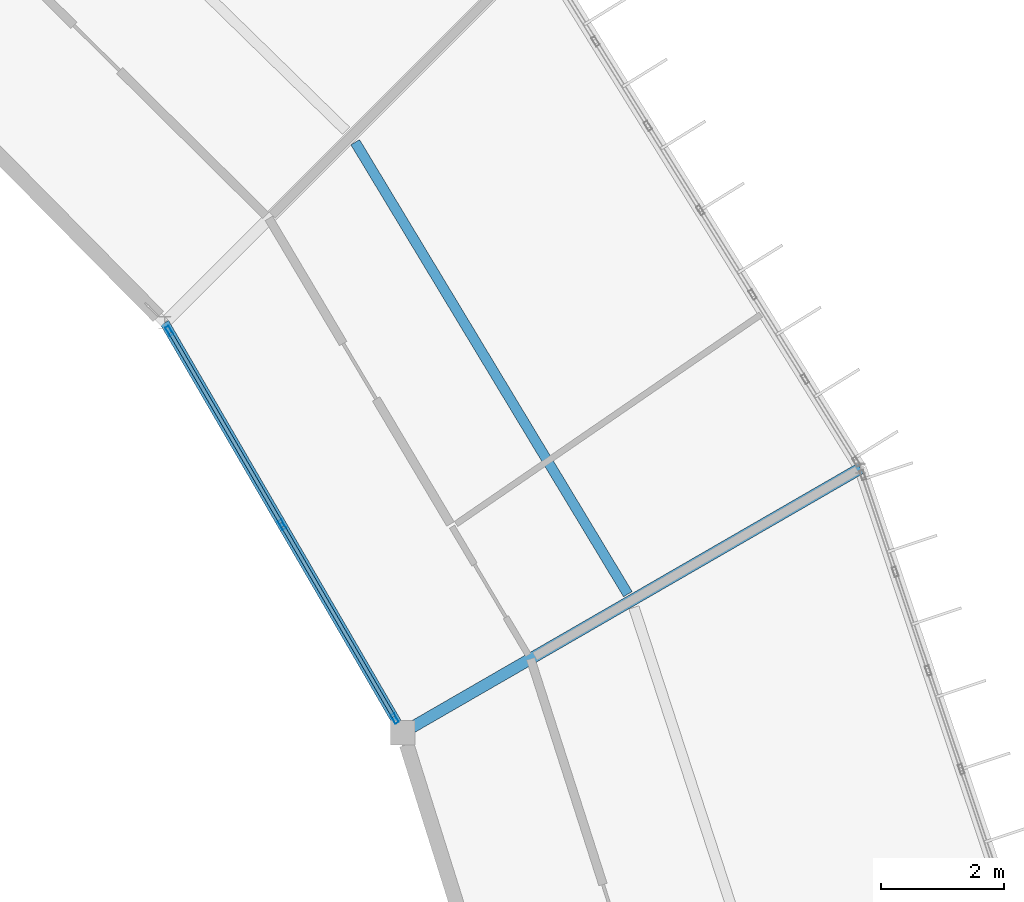
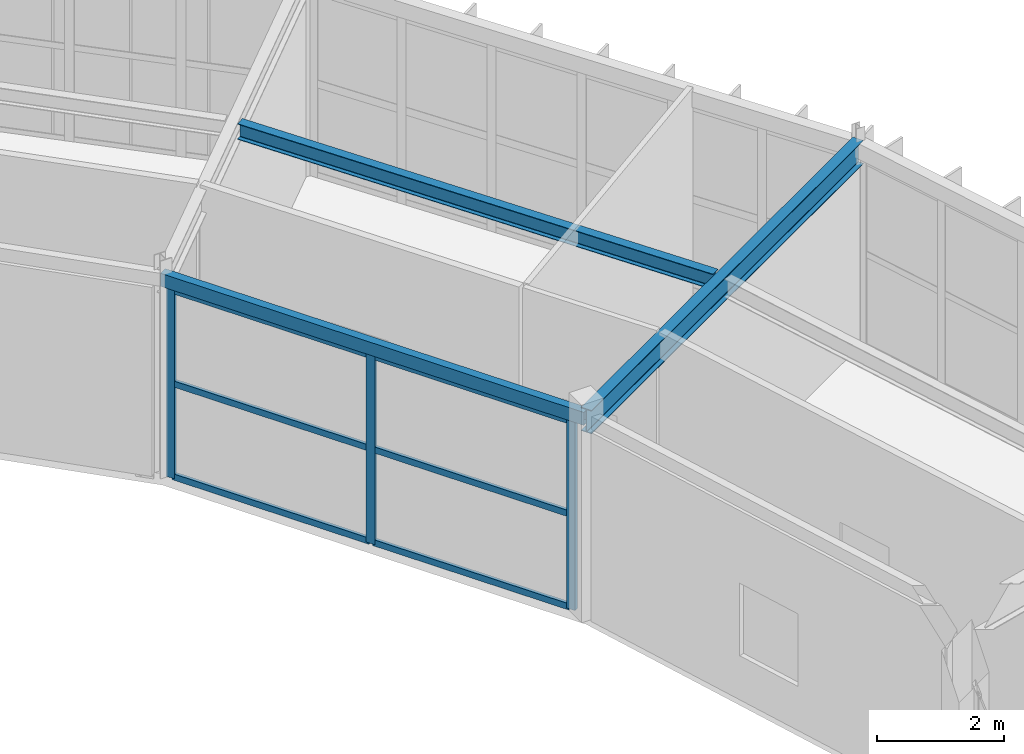
# One storey, part 73 of 130: 9 members, 3 beams, 1 element without a shape of its own.
"""IFC4 building model written with IfcOpenShell, lengths in metres."""

from ifc_helpers import new_model, si_unit, direction, frame, origin, origin_2d, place, context, subcontext, project, spatial, hollow_rectangle, i_section, extrude, material, material_profile, profile_set, type_object, element, aggregate, save


model = new_model("IFC4")

# Units and contexts
model_context = context("Model", 3, precision=1e-05, world=origin(), true_north=direction((0.0, 1.0)))
body_context = subcontext(model_context, "Body", "Model", "MODEL_VIEW")
ifc_project = project(units=[si_unit("LENGTHUNIT", "METRE"), si_unit("AREAUNIT", "SQUARE_METRE"), si_unit("VOLUMEUNIT", "CUBIC_METRE"), si_unit("PLANEANGLEUNIT", "RADIAN"), si_unit("MASSUNIT", "GRAM", prefix="KILO")], contexts=[model_context])

# Site, building, storey
site_placement = place(None, origin())
site = spatial("IfcSite", under=ifc_project, at=site_placement, CompositionType="ELEMENT")
building_placement = place(site_placement, origin())
building = spatial("IfcBuilding", under=site, at=building_placement, Name="Karori Crest Natural Sciences Institute", CompositionType="ELEMENT")
storey_placement = place(building_placement, frame((0.0, 0.0, 17.5)))
storey = spatial("IfcBuildingStorey", under=building, at=storey_placement, Name="L04", CompositionType="ELEMENT", Elevation=17.5)

# Beams
ifc_material_1 = material(Name="Structural steel AS/NZS 3679.1 Grade 350", Category="steel")
ifc_material_profile_1 = material_profile(ifc_material_1, i_section(OverallWidth=0.1650390625, OverallDepth=0.303955078125, WebThickness=0.006103515625, FlangeThickness=0.01025390625, FilletRadius=0.010986328125, at=origin_2d()), Name="310UB40.4")
ifc_profile_set_1 = profile_set([ifc_material_profile_1], Name="Structural steel AS/NZS 3679.1 Grade 350")
beam_type_1 = type_object("IfcBeamType", Name="BT-10", PredefinedType="BEAM", material=ifc_profile_set_1)
beam_1_placement = place(storey_placement, frame((91.19287109375, 68.252685546875, 3.7880859375), z_axis=(-0.516601017309, 0.856226248672, 0.0), x_axis=(-0.856226248672, -0.516601017309, 0.0)))
element("IfcBeam", 1, at=beam_1_placement, inside=storey, type_object=beam_type_1, Name="Beam B-0460", PredefinedType="BEAM", context=body_context, shape_type="SweptSolid", body=[
    extrude(i_section(OverallWidth=0.1650390625, OverallDepth=0.303955078125, WebThickness=0.006103515625, FlangeThickness=0.01025390625, FilletRadius=0.010986328125, at=origin_2d()), origin(), (0.0, 0.0, 1.0), 8.5888671875),
])
ifc_material_2 = material(Name="Hollow structural steel AS/NZS 1163 Grade C350", Category="steel")
ifc_material_profile_2 = material_profile(ifc_material_2, hollow_rectangle(XDim=0.14990234375, YDim=0.25, WallThickness=0.009033203125, at=origin_2d()), Name="RHS250x150x9")
ifc_profile_set_2 = profile_set([ifc_material_profile_2], Name="Hollow structural steel AS/NZS 1163 Grade C350")
beam_type_2 = type_object("IfcBeamType", Name="BT-16", PredefinedType="SPANDREL", material=ifc_profile_set_2)
beam_2_placement = place(storey_placement, frame((87.531005859375, 66.0, 3.7900390625), z_axis=(-0.502672163425, 0.864477122958, 0.0), x_axis=(-0.864477122958, -0.502672163425, 0.0)))
element("IfcBeam", 2, at=beam_2_placement, inside=storey, type_object=beam_type_2, Name="Beam B-0458", PredefinedType="SPANDREL", context=body_context, shape_type="SweptSolid", body=[
    extrude(hollow_rectangle(XDim=0.14990234375, YDim=0.25, WallThickness=0.009033203125, at=origin_2d()), origin(), (0.0, 0.0, 1.0), 7.714111328125),
])
ifc_material_profile_3 = material_profile(ifc_material_1, i_section(OverallWidth=0.18994140625, OverallDepth=0.4541015625, WebThickness=0.008544921875, FlangeThickness=0.0126953125, FilletRadius=0.010986328125, at=origin_2d()), Name="460UB67.1")
ifc_profile_set_3 = profile_set([ifc_material_profile_3], Name="Structural steel AS/NZS 3679.1 Grade 350")
beam_type_3 = type_object("IfcBeamType", Name="BT-28", PredefinedType="BEAM", material=ifc_profile_set_3)
beam_3_placement = place(storey_placement, frame((87.531005859375, 66.0, 3.712890625), z_axis=(0.866021068297, 0.500007509209, 0.0), x_axis=(-0.500007509209, 0.866021068297, 0.0)))
element("IfcBeam", 3, at=beam_3_placement, inside=storey, type_object=beam_type_3, Name="Beam B-0459", PredefinedType="BEAM", context=body_context, shape_type="SweptSolid", body=[
    extrude(i_section(OverallWidth=0.18994140625, OverallDepth=0.4541015625, WebThickness=0.008544921875, FlangeThickness=0.0126953125, FilletRadius=0.010986328125, at=origin_2d()), origin(), (0.0, 0.0, 1.0), 8.599853515625),
])

# Curtain wall, members
ifc_material_3 = material(Name="Anodised architectural aluminium 6063-T6", Category="aluminium")
curtain_wall_type = type_object("IfcCurtainWallType", Name="CWT-13", PredefinedType="NOTDEFINED", material=ifc_material_3)
curtain_wall_placement = place(storey_placement, origin())
curtain_wall = element("IfcCurtainWall", 4, at=curtain_wall_placement, inside=storey, type_object=curtain_wall_type, Name="Curtain wall CW-0140", PredefinedType="NOTDEFINED")
ifc_material_profile_4 = material_profile(ifc_material_3, hollow_rectangle(XDim=0.06494140625, YDim=0.159912109375, WallThickness=0.00390625, at=origin_2d()), Name="CWM160x65x4")
ifc_profile_set_4 = profile_set([ifc_material_profile_4], Name="Anodised architectural aluminium 6063-T6")
member_type_1 = type_object("IfcMemberType", Name="CWM-01", PredefinedType="MULLION", material=ifc_profile_set_4)
member_1_placement = place(storey_placement, frame((87.3994140625, 66.226318359375, 0.0), z_axis=(0.0, 0.0, 1.0), x_axis=(-0.864487154971, -0.502654910341, 0.0)))
member_1 = element("IfcMember", 5, at=member_1_placement, type_object=member_type_1, Name="CW-0140 mullion 1", PredefinedType="MULLION", context=body_context, shape_type="SweptSolid", body=[
    extrude(hollow_rectangle(XDim=0.06494140625, YDim=0.159912109375, WallThickness=0.00390625, at=origin_2d()), origin(), (0.0, 0.0, 1.0), 3.64990234375),
])
member_2_placement = place(storey_placement, frame((85.564697265625, 69.3818359375, 0.0), z_axis=(0.0, 0.0, 1.0), x_axis=(-0.864487154971, -0.502654910341, 0.0)))
member_2 = element("IfcMember", 6, at=member_2_placement, type_object=member_type_1, Name="CW-0140 mullion 2", PredefinedType="MULLION", context=body_context, shape_type="SweptSolid", body=[
    extrude(hollow_rectangle(XDim=0.06494140625, YDim=0.159912109375, WallThickness=0.00390625, at=origin_2d()), origin(), (0.0, 0.0, 1.0), 3.64990234375),
])
member_3_placement = place(storey_placement, frame((83.729736328125, 72.537353515625, 0.0), z_axis=(0.0, 0.0, 1.0), x_axis=(-0.864487154971, -0.502654910341, 0.0)))
member_3 = element("IfcMember", 7, at=member_3_placement, type_object=member_type_1, Name="CW-0140 mullion 3", PredefinedType="MULLION", context=body_context, shape_type="SweptSolid", body=[
    extrude(hollow_rectangle(XDim=0.06494140625, YDim=0.159912109375, WallThickness=0.00390625, at=origin_2d()), origin(), (0.0, 0.0, 1.0), 3.64990234375),
])
ifc_material_profile_5 = material_profile(ifc_material_3, hollow_rectangle(XDim=0.06005859375, YDim=0.1201171875, WallThickness=0.00390625, at=origin_2d()), Name="CWT120x60x4")
ifc_profile_set_5 = profile_set([ifc_material_profile_5], Name="Anodised architectural aluminium 6063-T6")
member_type_2 = type_object("IfcMemberType", Name="CWT-TR1", PredefinedType="USERDEFINED", material=ifc_profile_set_5)
member_4_placement = place(storey_placement, frame((87.383056640625, 66.25439453125, 0.030029296875), z_axis=(-0.502629926078, 0.864501681555, 0.0), x_axis=(-0.864501681555, -0.502629926078, 0.0)))
member_4 = element("IfcMember", 8, at=member_4_placement, type_object=member_type_2, Name="CW-0140 transom 1.1", ObjectType="TRANSOM", PredefinedType="USERDEFINED", context=body_context, shape_type="SweptSolid", body=[
    extrude(hollow_rectangle(XDim=0.06005859375, YDim=0.1201171875, WallThickness=0.00390625, at=origin_2d()), origin(), (0.0, 0.0, 1.0), 3.585205078125),
])
member_5_placement = place(storey_placement, frame((87.383056640625, 66.25439453125, 1.824951171875), z_axis=(-0.502629926078, 0.864501681555, 0.0), x_axis=(-0.864501681555, -0.502629926078, 0.0)))
member_5 = element("IfcMember", 9, at=member_5_placement, type_object=member_type_2, Name="CW-0140 transom 1.2", ObjectType="TRANSOM", PredefinedType="USERDEFINED", context=body_context, shape_type="SweptSolid", body=[
    extrude(hollow_rectangle(XDim=0.06005859375, YDim=0.1201171875, WallThickness=0.00390625, at=origin_2d()), origin(), (0.0, 0.0, 1.0), 3.585205078125),
])
member_6_placement = place(storey_placement, frame((87.383056640625, 66.25439453125, 3.6201171875), z_axis=(-0.502629926078, 0.864501681555, 0.0), x_axis=(-0.864501681555, -0.502629926078, 0.0)))
member_6 = element("IfcMember", 10, at=member_6_placement, type_object=member_type_2, Name="CW-0140 transom 1.3", ObjectType="TRANSOM", PredefinedType="USERDEFINED", context=body_context, shape_type="SweptSolid", body=[
    extrude(hollow_rectangle(XDim=0.06005859375, YDim=0.1201171875, WallThickness=0.00390625, at=origin_2d()), origin(), (0.0, 0.0, 1.0), 3.585205078125),
])
member_7_placement = place(storey_placement, frame((85.54833984375, 69.409912109375, 0.030029296875), z_axis=(-0.502680817258, 0.864472090909, 0.0), x_axis=(-0.864472090909, -0.502680817258, 0.0)))
member_7 = element("IfcMember", 11, at=member_7_placement, type_object=member_type_2, Name="CW-0140 transom 2.1", ObjectType="TRANSOM", PredefinedType="USERDEFINED", context=body_context, shape_type="SweptSolid", body=[
    extrude(hollow_rectangle(XDim=0.06005859375, YDim=0.1201171875, WallThickness=0.00390625, at=origin_2d()), origin(), (0.0, 0.0, 1.0), 3.585205078125),
])
member_8_placement = place(storey_placement, frame((85.54833984375, 69.409912109375, 1.824951171875), z_axis=(-0.502680817258, 0.864472090909, 0.0), x_axis=(-0.864472090909, -0.502680817258, 0.0)))
member_8 = element("IfcMember", 12, at=member_8_placement, type_object=member_type_2, Name="CW-0140 transom 2.2", ObjectType="TRANSOM", PredefinedType="USERDEFINED", context=body_context, shape_type="SweptSolid", body=[
    extrude(hollow_rectangle(XDim=0.06005859375, YDim=0.1201171875, WallThickness=0.00390625, at=origin_2d()), origin(), (0.0, 0.0, 1.0), 3.585205078125),
])
member_9_placement = place(storey_placement, frame((85.54833984375, 69.409912109375, 3.6201171875), z_axis=(-0.502680817258, 0.864472090909, 0.0), x_axis=(-0.864472090909, -0.502680817258, 0.0)))
member_9 = element("IfcMember", 13, at=member_9_placement, type_object=member_type_2, Name="CW-0140 transom 2.3", ObjectType="TRANSOM", PredefinedType="USERDEFINED", context=body_context, shape_type="SweptSolid", body=[
    extrude(hollow_rectangle(XDim=0.06005859375, YDim=0.1201171875, WallThickness=0.00390625, at=origin_2d()), origin(), (0.0, 0.0, 1.0), 3.585205078125),
])
aggregate(curtain_wall, [member_1, member_2, member_3, member_4, member_5, member_6, member_7, member_8, member_9])

save(model, "model.ifc")
